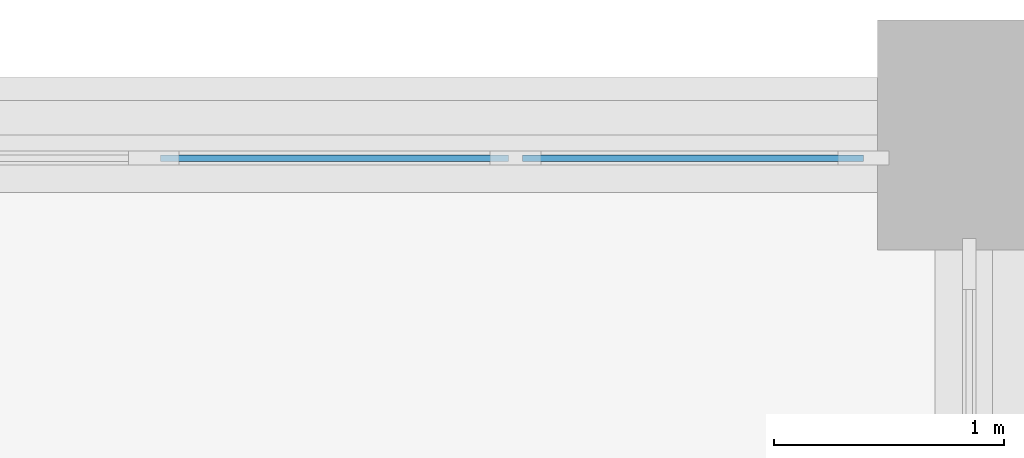
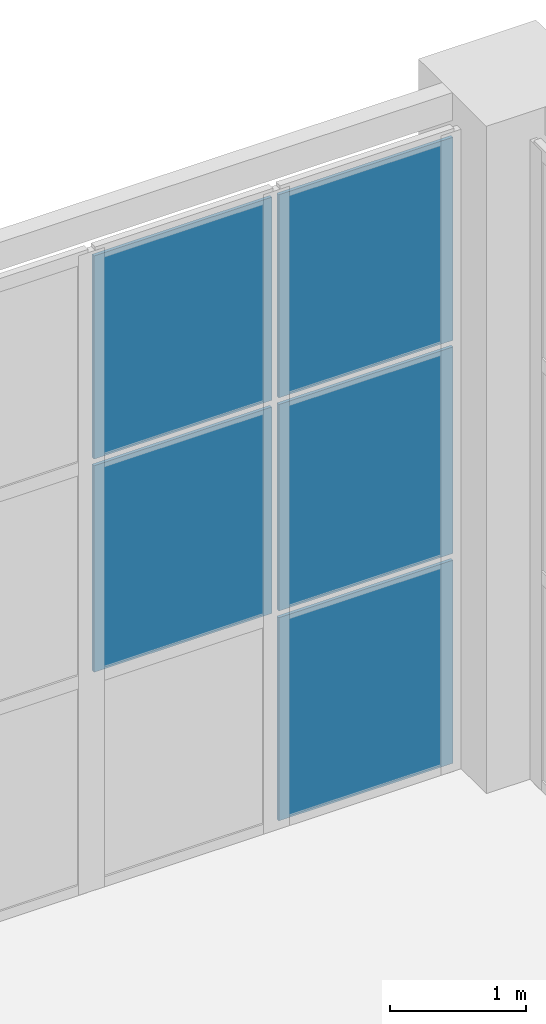
# One storey, part 49 of 72: 5 plates, 1 element without a shape of its own.
"""IFC4 building model written with IfcOpenShell, lengths in metres."""

from ifc_helpers import new_model, si_unit, direction, frame, origin, origin_2d, place, context, subcontext, project, spatial, rectangle, extrude, material, layer, layer_set, type_object, element, aggregate, save


model = new_model("IFC4")

# Units and contexts
model_context = context("Model", 3, precision=1e-05, world=origin(), true_north=direction((0.0, 1.0)))
body_context = subcontext(model_context, "Body", "Model", "MODEL_VIEW")
ifc_project = project(units=[si_unit("LENGTHUNIT", "METRE"), si_unit("AREAUNIT", "SQUARE_METRE"), si_unit("VOLUMEUNIT", "CUBIC_METRE"), si_unit("PLANEANGLEUNIT", "RADIAN"), si_unit("MASSUNIT", "GRAM", prefix="KILO")], contexts=[model_context])

# Site, building, storey
site_placement = place(None, origin())
site = spatial("IfcSite", under=ifc_project, at=site_placement, CompositionType="ELEMENT")
building_placement = place(site_placement, origin())
building = spatial("IfcBuilding", under=site, at=building_placement, Name="Lilac Gate Convention Centre", CompositionType="ELEMENT")
storey_placement = place(building_placement, frame((0.0, 0.0, 6.0)))
storey = spatial("IfcBuildingStorey", under=building, at=storey_placement, Name="L01", CompositionType="ELEMENT", Elevation=6.0)

# Curtain wall, plates
ifc_material_1 = material(Name="Aluminium framed double glazing", Category="aluminium")
ifc_layer_1 = layer(ifc_material_1, 0.199951171875)
ifc_layer_set_1 = layer_set([ifc_layer_1], Name="Aluminium framed double glazing")
curtain_wall_type = type_object("IfcCurtainWallType", Name="Unitised curtain wall 1500", PredefinedType="NOTDEFINED", material=ifc_layer_set_1)
curtain_wall_placement = place(storey_placement, origin())
curtain_wall = element("IfcCurtainWall", 1, at=curtain_wall_placement, inside=storey, type_object=curtain_wall_type, Name="Curtain wall N L01 1", PredefinedType="NOTDEFINED")
ifc_material_2 = material(Name="Double glazed unit low emissivity")
ifc_layer_2 = layer(ifc_material_2, 0.028076171875)
ifc_layer_set_2 = layer_set([ifc_layer_2], Name="Double glazed unit low emissivity")
plate_type_1 = type_object("IfcPlateType", Name="Curtain wall glass panel 28", PredefinedType="CURTAIN_PANEL", material=ifc_layer_set_2)
plate_1_placement = place(storey_placement, frame((88.69921875, 245.89990234375, 1.94677734375), z_axis=(0.0, 0.0, 1.0), x_axis=(-1.0, 0.0, 0.0)))
plate_1 = element("IfcPlate", 2, at=plate_1_placement, type_object=plate_type_1, Name="CW panel 1.2", PredefinedType="CURTAIN_PANEL", context=body_context, shape_type="SweptSolid", body=[
    extrude(rectangle(XDim=1.4814453125, YDim=0.028076171875, at=origin_2d()), origin(), (0.0, 0.0, 1.0), 1.856689453125),
])
plate_2_placement = place(storey_placement, frame((88.69921875, 245.89990234375, 3.86328125), z_axis=(0.0, 0.0, 1.0), x_axis=(-1.0, 0.0, 0.0)))
plate_2 = element("IfcPlate", 3, at=plate_2_placement, type_object=plate_type_1, Name="CW panel 1.3", PredefinedType="CURTAIN_PANEL", context=body_context, shape_type="SweptSolid", body=[
    extrude(rectangle(XDim=1.4814453125, YDim=0.028076171875, at=origin_2d()), origin(), (0.0, 0.0, 1.0), 1.82666015625),
])
plate_3_placement = place(storey_placement, frame((87.142822265625, 245.89990234375, 1.94677734375), z_axis=(0.0, 0.0, 1.0), x_axis=(-1.0, 0.0, 0.0)))
plate_3 = element("IfcPlate", 4, at=plate_3_placement, type_object=plate_type_1, Name="CW panel 2.2", PredefinedType="CURTAIN_PANEL", context=body_context, shape_type="SweptSolid", body=[
    extrude(rectangle(XDim=1.511474609375, YDim=0.028076171875, at=origin_2d()), origin(), (0.0, 0.0, 1.0), 1.856689453125),
])
plate_4_placement = place(storey_placement, frame((87.142822265625, 245.89990234375, 3.86328125), z_axis=(0.0, 0.0, 1.0), x_axis=(-1.0, 0.0, 0.0)))
plate_4 = element("IfcPlate", 5, at=plate_4_placement, type_object=plate_type_1, Name="CW panel 2.3", PredefinedType="CURTAIN_PANEL", context=body_context, shape_type="SweptSolid", body=[
    extrude(rectangle(XDim=1.511474609375, YDim=0.028076171875, at=origin_2d()), origin(), (0.0, 0.0, 1.0), 1.82666015625),
])
ifc_material_3 = material(Name="Insulated aluminium spandrel panel", Category="aluminium")
ifc_layer_3 = layer(ifc_material_3, 0.028076171875)
ifc_layer_set_3 = layer_set([ifc_layer_3], Name="Insulated aluminium spandrel panel")
plate_type_2 = type_object("IfcPlateType", Name="Curtain wall spandrel panel 28", PredefinedType="CURTAIN_PANEL", material=ifc_layer_set_3)
plate_5_placement = place(storey_placement, frame((88.69921875, 245.89990234375, 0.06005859375), z_axis=(0.0, 0.0, 1.0), x_axis=(-1.0, 0.0, 0.0)))
plate_5 = element("IfcPlate", 6, at=plate_5_placement, type_object=plate_type_2, Name="CW spandrel 1.1", PredefinedType="CURTAIN_PANEL", context=body_context, shape_type="SweptSolid", body=[
    extrude(rectangle(XDim=1.4814453125, YDim=0.028076171875, at=origin_2d()), origin(), (0.0, 0.0, 1.0), 1.82666015625),
])
aggregate(curtain_wall, [plate_5, plate_1, plate_2, plate_3, plate_4])

save(model, "model.ifc")
